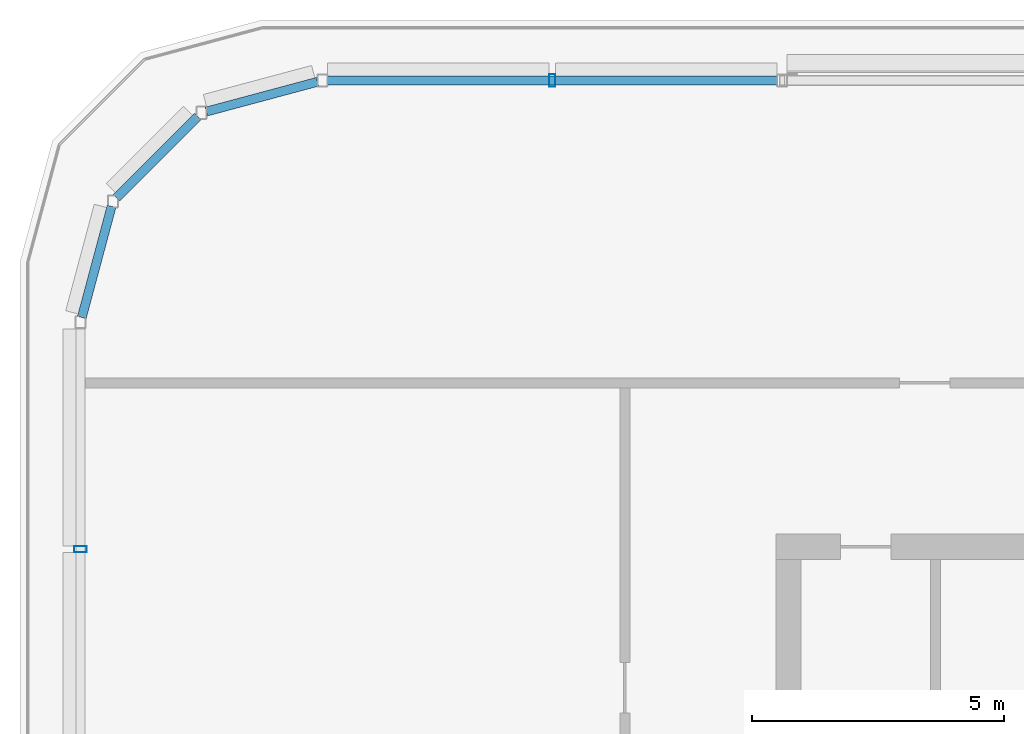
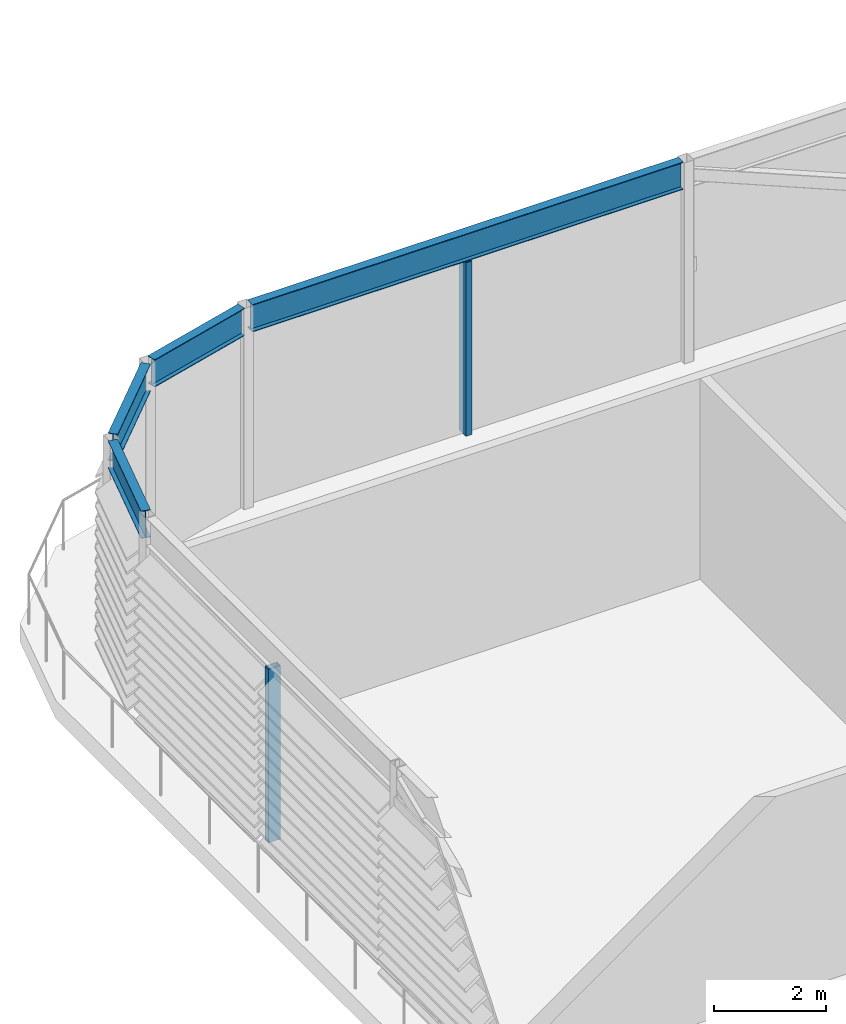
# One storey, part 11 of 29: 4 beams, 2 members.
"""IFC4 building model written with IfcOpenShell, lengths in metres."""

import ifcopenshell
import ifcopenshell.guid

model = None  # the IFC model being written
_history = None  # IfcOwnerHistory: only IFC2X3 demands one
_inside = {}  # id of a spatial element -> (the spatial element, [elements in it])
_under = {}  # id of a project, library or spatial element -> (it, [spatial elements below it])
_declared = {}  # id of a project -> (the project, [libraries it declares])
_typed = {}  # id of a type object -> (the type object, [elements of that type])
_made_of = {}  # id of a material, layer set ... -> (it, [elements and type objects made of it])


def new_model(schema):
    """Start an empty IFC model of exactly this schema.

    Asked for "IFC4X3", IfcOpenShell would pick the latest addendum, in which some entities
    have other attributes; the version numbers below select the first issue.
    IFC2X3 requires an IfcOwnerHistory on every rooted entity: one is made here for all.
    """
    global model, _history
    if schema == "IFC4X3":
        model = ifcopenshell.file(schema_version=(4, 3, 0, 0))
    else:
        model = ifcopenshell.file(schema=schema)
    _inside.clear()
    _under.clear()
    _declared.clear()
    _typed.clear()
    _made_of.clear()
    _history = None
    if model.schema == "IFC2X3":
        org = make("IfcOrganization", Name="unknown")
        user = make(
            "IfcPersonAndOrganization",
            ThePerson=make("IfcPerson", FamilyName="unknown"),
            TheOrganization=org,
        )
        app = make(
            "IfcApplication",
            ApplicationDeveloper=org,
            Version="unknown",
            ApplicationFullName="unknown",
            ApplicationIdentifier="unknown",
        )
        _history = make(
            "IfcOwnerHistory",
            OwningUser=user,
            OwningApplication=app,
            ChangeAction="ADDED",
            CreationDate=0,
        )
    return model


def make(cls, **values):
    """One entity of the class cls with the attributes given. An attribute that is None is left unset."""
    return model.create_entity(
        cls, **{name: value for name, value in values.items() if value is not None}
    )


def rooted(cls, **values):
    """An entity with a GlobalId (a new one), such as an element, a storey or a relation."""
    return make(cls, GlobalId=ifcopenshell.guid.new(), OwnerHistory=_history, **values)


def si_unit(unit_type, name, prefix=None):
    """IfcSIUnit, for example si_unit("LENGTHUNIT", "METRE", prefix="MILLI")."""
    return make("IfcSIUnit", UnitType=unit_type, Prefix=prefix, Name=name)


def assignment(units):
    """IfcUnitAssignment: the units of a project."""
    return None if units is None else make("IfcUnitAssignment", Units=units)


def point(xyz):
    """IfcCartesianPoint."""
    return None if xyz is None else make("IfcCartesianPoint", Coordinates=xyz)


def direction(xyz):
    """IfcDirection."""
    return None if xyz is None else make("IfcDirection", DirectionRatios=xyz)


def frame(location, z_axis=None, x_axis=None):
    """IfcAxis2Placement3D, a coordinate frame: its origin and axes. An axis left out is left unset."""
    return make(
        "IfcAxis2Placement3D",
        Location=point(location),
        Axis=direction(z_axis),
        RefDirection=direction(x_axis),
    )


def frame_2d(location, x_axis=None):
    """IfcAxis2Placement2D, a coordinate frame in the plane: its origin and x axis."""
    return make(
        "IfcAxis2Placement2D", Location=point(location), RefDirection=direction(x_axis)
    )


def origin():
    """The frame at (0, 0, 0) with its axes left unset."""
    return frame((0.0, 0.0, 0.0))


def origin_2d():
    """The frame at (0, 0) in the plane with its x axis left unset."""
    return frame_2d((0.0, 0.0))


def place(relative_to, where):
    """IfcLocalPlacement: puts the frame where relative to a parent placement (None: the world)."""
    return make(
        "IfcLocalPlacement", PlacementRelTo=relative_to, RelativePlacement=where
    )


def context(
    kind, dimensions, precision=None, world=None, true_north=None, identifier=None
):
    """IfcGeometricRepresentationContext, for example the 3D "Model" context."""
    return make(
        "IfcGeometricRepresentationContext",
        ContextIdentifier=identifier,
        ContextType=kind,
        CoordinateSpaceDimension=dimensions,
        Precision=precision,
        WorldCoordinateSystem=world,
        TrueNorth=true_north,
    )


def subcontext(parent, identifier, kind, view, scale=None):
    """IfcGeometricRepresentationSubContext, for example "Body" below "Model"."""
    return make(
        "IfcGeometricRepresentationSubContext",
        ContextIdentifier=identifier,
        ContextType=kind,
        ParentContext=parent,
        TargetScale=scale,
        TargetView=view,
    )


def project(units=None, contexts=None):
    """IfcProject with its units and contexts."""
    return rooted(
        "IfcProject",
        Name="project",
        RepresentationContexts=contexts,
        UnitsInContext=assignment(units),
    )


def spatial(cls, under=None, at=None, **own):
    """A site, building, storey or space (cls), placed at a placement, below another one or the project."""
    s = rooted(cls, ObjectPlacement=at, **own)
    if under is not None:
        _under.setdefault(under.id(), (under, []))[1].append(s)
    return s


def profile(cls, at=None, kind="AREA", **sizes):
    """A parametric profile (cls). Its sizes go by their IFC names, for example OverallWidth=200.0."""
    return make(cls, ProfileType=kind, Position=at, **sizes)


def hollow_rectangle(**sizes):
    """IfcRectangleHollowProfileDef."""
    return profile("IfcRectangleHollowProfileDef", **sizes)


def i_section(**sizes):
    """IfcIShapeProfileDef."""
    return profile("IfcIShapeProfileDef", **sizes)


def extrude(swept, where, along, depth):
    """IfcExtrudedAreaSolid: the profile swept, set in the frame where, extruded along a direction by depth."""
    return make(
        "IfcExtrudedAreaSolid",
        SweptArea=swept,
        Position=where,
        ExtrudedDirection=direction(along),
        Depth=depth,
    )


def shape(context_of_items, identifier, shape_type, items):
    """IfcShapeRepresentation: the items that make up one representation, for example the "Body"."""
    return make(
        "IfcShapeRepresentation",
        ContextOfItems=context_of_items,
        RepresentationIdentifier=identifier,
        RepresentationType=shape_type,
        Items=items,
    )


def material(Name=None, Category=None):
    """IfcMaterial."""
    return make("IfcMaterial", Name=Name, Category=Category)


def material_profile(
    of_material, cross_section, Name=None, Category=None, Priority=None
):
    """IfcMaterialProfile: a cross section and its material."""
    return make(
        "IfcMaterialProfile",
        Name=Name,
        Material=of_material,
        Profile=cross_section,
        Priority=Priority,
        Category=Category,
    )


def profile_set(profiles, Name=None, composite=None):
    """IfcMaterialProfileSet."""
    return make(
        "IfcMaterialProfileSet",
        Name=Name,
        MaterialProfiles=profiles,
        CompositeProfile=composite,
    )


def made_of(thing, what):
    """Note that an element or type object is made of a material, layer set ...; save() writes the relation."""
    if what is not None:
        _made_of.setdefault(what.id(), (what, []))[1].append(thing)
    return thing


def type_object(cls, material=None, **own):
    """A type object (cls), such as IfcWallType, which elements share."""
    return made_of(rooted(cls, **own), material)


def element(
    cls,
    number,
    at=None,
    inside=None,
    cuts=None,
    type_object=None,
    material=None,
    context=None,
    identifier="Body",
    shape_type=None,
    held_by="IfcProductDefinitionShape",
    body=None,
    shapes=None,
    **own,
):
    """One element of the class cls, such as IfcWall. Its Tag is "e" and its number.

    at: its placement. inside: the storey or other place that contains it. cuts: it is an
    opening in that element (IfcRelVoidsElement). A single representation is given by context,
    identifier, shape_type and body (its items); several are given by shapes. held_by: the class
    of the entity that holds the representations. save() writes the other relations.
    """
    e = rooted(cls, Tag="e%d" % number, ObjectPlacement=at, **own)
    if body is not None:
        shapes = [shape(context, identifier, shape_type, body)]
    if shapes is not None:
        e.Representation = make(held_by, Representations=shapes)
    if inside is not None:
        _inside.setdefault(inside.id(), (inside, []))[1].append(e)
    if cuts is not None:
        rooted(
            "IfcRelVoidsElement", RelatingBuildingElement=cuts, RelatedOpeningElement=e
        )
    if type_object is not None:
        _typed.setdefault(type_object.id(), (type_object, []))[1].append(e)
    return made_of(e, material)


def aggregate(whole, parts):
    """IfcRelAggregates: a whole, such as a stair, and the parts it consists of."""
    return rooted("IfcRelAggregates", RelatingObject=whole, RelatedObjects=parts)


def save(model, path):
    """Write the relations noted so far, then the file.

    IfcRelAggregates (storeys below a building ...), IfcRelContainedInSpatialStructure (elements
    in a storey), IfcRelDefinesByType, IfcRelAssociatesMaterial and IfcRelDeclares: one each for
    every whole, place, type object, material and project.
    """
    for whole, parts in _under.values():
        aggregate(whole, parts)
    for where, things in _inside.values():
        rooted(
            "IfcRelContainedInSpatialStructure",
            RelatedElements=things,
            RelatingStructure=where,
        )
    for kind, things in _typed.values():
        rooted("IfcRelDefinesByType", RelatedObjects=things, RelatingType=kind)
    for what, things in _made_of.values():
        rooted("IfcRelAssociatesMaterial", RelatedObjects=things, RelatingMaterial=what)
    for by, libraries in _declared.values():
        rooted("IfcRelDeclares", RelatingContext=by, RelatedDefinitions=libraries)
    model.write(path)


model = new_model("IFC4")

# Units and contexts
model_context = context("Model", 3, precision=1e-05, world=origin(), true_north=direction((0.0, 1.0)))
body_context = subcontext(model_context, "Body", "Model", "MODEL_VIEW")
ifc_project = project(units=[si_unit("LENGTHUNIT", "METRE"), si_unit("AREAUNIT", "SQUARE_METRE"), si_unit("VOLUMEUNIT", "CUBIC_METRE"), si_unit("PLANEANGLEUNIT", "RADIAN"), si_unit("MASSUNIT", "GRAM", prefix="KILO")], contexts=[model_context])

# Site, building, storey
site_placement = place(None, origin())
site = spatial("IfcSite", under=ifc_project, at=site_placement, CompositionType="ELEMENT")
building_placement = place(site_placement, origin())
building = spatial("IfcBuilding", under=site, at=building_placement, Name="Madar Terraces", CompositionType="ELEMENT")
storey_placement = place(building_placement, frame((0.0, 0.0, 296.300048828125)))
storey = spatial("IfcBuildingStorey", under=building, at=storey_placement, Name="L77", CompositionType="ELEMENT", Elevation=296.300048828125)

# Beams
ifc_material_1 = material(Name="Steel ASTM A992 Grade 50", Category="steel")
ifc_material_profile_1 = material_profile(ifc_material_1, i_section(OverallWidth=0.1787109375, OverallDepth=0.60205078125, WebThickness=0.010986328125, FlangeThickness=0.014892578125, at=origin_2d()), Name="W24x62")
ifc_profile_set_1 = profile_set([ifc_material_profile_1], Name="Steel ASTM A992 Grade 50")
beam_type = type_object("IfcBeamType", Name="CF2 W24x62", PredefinedType="BEAM", material=ifc_profile_set_1)
beam_1_placement = place(storey_placement, frame((15.018310546875, 46.800048828125, 4.098876953125), z_axis=(-1.0, 0.0, 0.0), x_axis=(0.0, -1.0, 0.0)))
element("IfcBeam", 1, at=beam_1_placement, inside=storey, type_object=beam_type, Name="Crown frame ring beam CF2", PredefinedType="BEAM", context=body_context, shape_type="SweptSolid", body=[
    extrude(i_section(OverallWidth=0.1787109375, OverallDepth=0.60205078125, WebThickness=0.010986328125, FlangeThickness=0.014892578125, at=origin_2d()), origin(), (0.0, 0.0, 1.0), 8.916748046875),
])
beam_2_placement = place(storey_placement, frame((5.90185546875, 46.773681640625, 4.098876953125), z_axis=(-0.965912700012, -0.258868028067, 0.0), x_axis=(0.258868028067, -0.965912700012, 0.0)))
element("IfcBeam", 2, at=beam_2_placement, inside=storey, type_object=beam_type, Name="Crown frame ring beam CF2", PredefinedType="BEAM", context=body_context, shape_type="SweptSolid", body=[
    extrude(i_section(OverallWidth=0.1787109375, OverallDepth=0.60205078125, WebThickness=0.010986328125, FlangeThickness=0.014892578125, at=origin_2d()), origin(), (0.0, 0.0, 1.0), 2.281494140625),
])
beam_3_placement = place(storey_placement, frame((3.528076171875, 46.0849609375, 4.098876953125), z_axis=(-0.707106781187, -0.707106781187, 0.0), x_axis=(0.707106781187, -0.707106781187, 0.0)))
element("IfcBeam", 3, at=beam_3_placement, inside=storey, type_object=beam_type, Name="Crown frame ring beam CF2", PredefinedType="BEAM", context=body_context, shape_type="SweptSolid", body=[
    extrude(i_section(OverallWidth=0.1787109375, OverallDepth=0.60205078125, WebThickness=0.010986328125, FlangeThickness=0.014892578125, at=origin_2d()), origin(), (0.0, 0.0, 1.0), 2.28125),
])
beam_4_placement = place(storey_placement, frame((1.81689453125, 44.3017578125, 4.098876953125), z_axis=(-0.258868028067, -0.965912700012, 0.0), x_axis=(0.965912700012, -0.258868028067, 0.0)))
element("IfcBeam", 4, at=beam_4_placement, inside=storey, type_object=beam_type, Name="Crown frame ring beam CF2", PredefinedType="BEAM", context=body_context, shape_type="SweptSolid", body=[
    extrude(i_section(OverallWidth=0.1787109375, OverallDepth=0.60205078125, WebThickness=0.010986328125, FlangeThickness=0.014892578125, at=origin_2d()), origin(), (0.0, 0.0, 1.0), 2.281494140625),
])

# Members
ifc_material_2 = material(Name="Steel ASTM A500 Grade C", Category="steel")
ifc_material_profile_2 = material_profile(ifc_material_2, hollow_rectangle(XDim=0.126953125, YDim=0.25390625, WallThickness=0.00634765625, InnerFilletRadius=0.0029296875, OuterFilletRadius=0.0087890625, at=origin_2d()), Name="HSS10x5x.25")
ifc_profile_set_2 = profile_set([ifc_material_profile_2], Name="Steel ASTM A500 Grade C")
member_type = type_object("IfcMemberType", Name="LS2 HSS10x5x.25", PredefinedType="POST", material=ifc_profile_set_2)
for number, where, z_axis, x_axis, name in (
    (5, (10.56005859375, 46.800048828125, 0.0), (0.0, 0.0, 1.0), (-1.0, 0.0, 0.0), "Crown louvre post LS2"),
    (6, (1.199951171875, 37.5, 0.0), (0.0, 0.0, 1.0), (0.0, -1.0, 0.0), "Crown louvre post LS2"),
):
    element("IfcMember", number, at=place(storey_placement, frame(where, z_axis=z_axis, x_axis=x_axis)), inside=storey, type_object=member_type, Name=name, PredefinedType="POST", context=body_context, shape_type="SweptSolid", body=[
        extrude(hollow_rectangle(XDim=0.126953125, YDim=0.25390625, WallThickness=0.00634765625, InnerFilletRadius=0.0029296875, OuterFilletRadius=0.0087890625, at=origin_2d()), origin(), (0.0, 0.0, 1.0), 3.7978515625),
    ])

save(model, "model.ifc")
